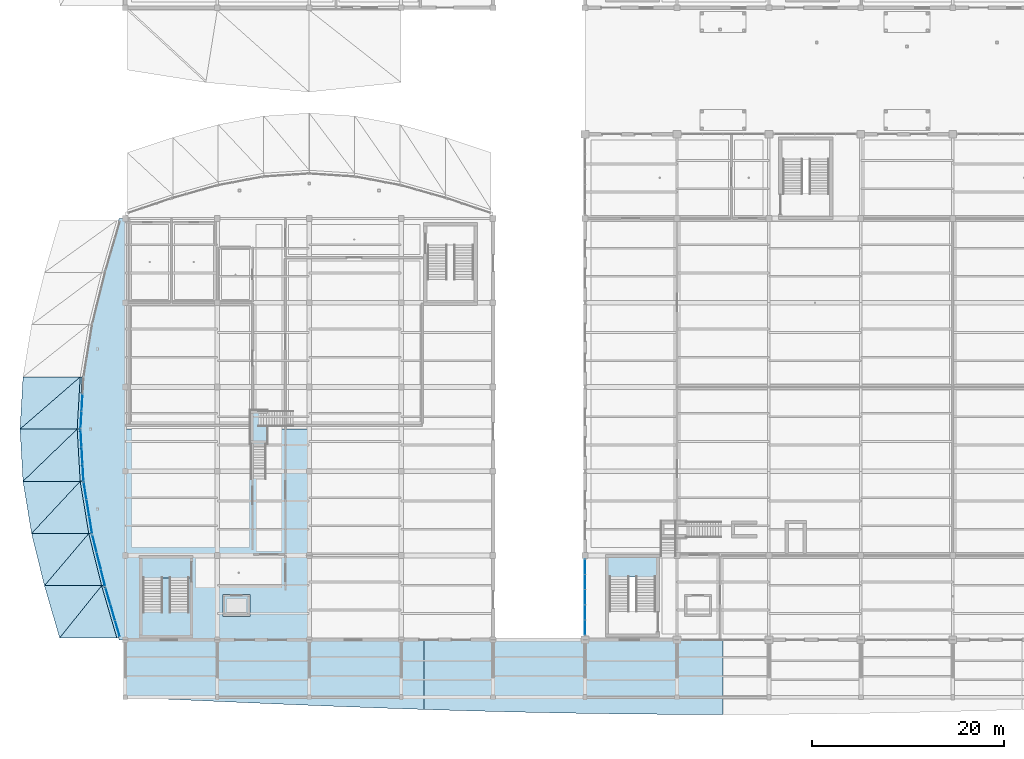
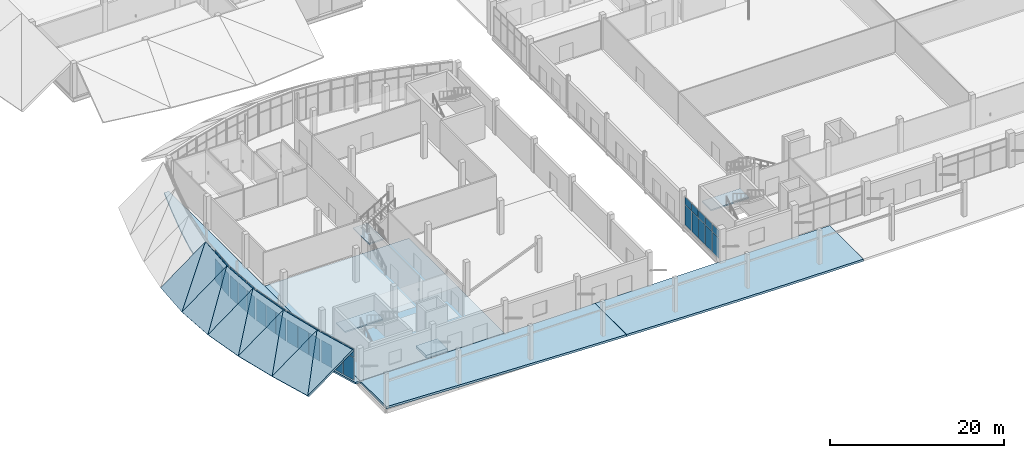
# One storey, part 64 of 116: 38 plates, 18 slabs, 9 elements without a shape of their own.
"""IFC4 building model written with IfcOpenShell, lengths in metres."""

from ifc_helpers import new_model, si_unit, direction, frame, origin, origin_2d, place, context, subcontext, project, spatial, polyline, rectangle, outline, extrude, material, layer, layer_set, type_object, element, aggregate, save


model = new_model("IFC4")

# Units and contexts
model_context = context("Model", 3, precision=1e-05, world=origin(), true_north=direction((0.0, 1.0)))
body_context = subcontext(model_context, "Body", "Model", "MODEL_VIEW")
ifc_project = project(units=[si_unit("LENGTHUNIT", "METRE"), si_unit("AREAUNIT", "SQUARE_METRE"), si_unit("VOLUMEUNIT", "CUBIC_METRE"), si_unit("PLANEANGLEUNIT", "RADIAN"), si_unit("MASSUNIT", "GRAM", prefix="KILO")], contexts=[model_context])

# Site, building, storey
site_placement = place(None, origin())
site = spatial("IfcSite", under=ifc_project, at=site_placement, CompositionType="ELEMENT")
building_placement = place(site_placement, origin())
building = spatial("IfcBuilding", under=site, at=building_placement, Name="Chalmorin Arch Market", CompositionType="ELEMENT")
storey_placement = place(building_placement, origin())
storey = spatial("IfcBuildingStorey", under=building, at=storey_placement, Name="L00", CompositionType="ELEMENT", Elevation=0.0)

# Slabs
ifc_material_1 = material(Name="Concrete C40/50", Category="concrete")
ifc_layer_1 = layer(ifc_material_1, 0.340087890625)
ifc_layer_set_1 = layer_set([ifc_layer_1], Name="Concrete C40/50")
slab_type_1 = type_object("IfcSlabType", Name="GreenMoundDeckSlab-340", PredefinedType="FLOOR", material=ifc_layer_set_1)
slab_1_placement = place(storey_placement, frame((-2.47900390625, 11.64990234375, 4.580078125), z_axis=(-0.584624476485, -0.170440177976, 0.793198819481), x_axis=(-0.804977225698, 0.0, -0.593305710496)))
element("IfcSlab", 1, at=slab_1_placement, inside=storey, type_object=slab_type_1, Name="ETS-340-680", PredefinedType="FLOOR", context=body_context, shape_type="SweptSolid", body=[
    extrude(outline(polyline([(0.0, 0.0), (7.416322490299924, -2.220446049250313e-16), (6.13732058970323, 5.530878850020663), (0.0, 0.0)])), origin(), (0.0, 0.0, -1.0), 0.340087890625),
])
slab_2_placement = place(storey_placement, frame((-0.889892578125, 6.199951171875, 4.580078125), z_axis=(-0.584606825063, -0.17046122046, 0.793207307335), x_axis=(-0.279925684891, 0.960021672119, 0.0)))
element("IfcSlab", 2, at=slab_2_placement, inside=storey, type_object=slab_type_1, Name="ETS-340-681", PredefinedType="FLOOR", context=body_context, shape_type="SweptSolid", body=[
    extrude(outline(polyline([(0.0, 0.0), (5.676904313884187, 0.0), (1.6712164790834456, 7.225772612290706), (0.0, 0.0)])), origin(), (0.0, 0.0, -1.0), 0.340087890625),
])
slab_3_placement = place(storey_placement, frame((-3.821044921875, 17.10009765625, 4.580078125), z_axis=(-0.587073700683, -0.1445594039, 0.796521844465), x_axis=(-0.804977225698, 0.0, -0.593305710496)))
element("IfcSlab", 3, at=slab_3_placement, inside=storey, type_object=slab_type_1, Name="ETS-340-682", PredefinedType="FLOOR", context=body_context, shape_type="SweptSolid", body=[
    extrude(outline(polyline([(0.0, 0.0), (7.416322490299925, 0.0), (6.336010036768881, 5.508051201174739), (0.0, 0.0)])), origin(), (0.0, 0.0, -1.0), 0.340087890625),
])
slab_4_placement = place(storey_placement, frame((-2.47900390625, 11.64990234375, 4.580078125), z_axis=(-0.587073700683, -0.1445594039, 0.796521844465), x_axis=(-0.239095389388, 0.970996083809, 0.0)))
element("IfcSlab", 4, at=slab_4_placement, inside=storey, type_object=slab_type_1, Name="ETS-340-683", PredefinedType="FLOOR", context=body_context, shape_type="SweptSolid", body=[
    extrude(outline(polyline([(0.0, 0.0), (5.612994123639963, 2.220446049250313e-16), (1.4273924698994187, 7.277663774660308), (0.0, 0.0)])), origin(), (0.0, 0.0, -1.0), 0.340087890625),
])
slab_5_placement = place(storey_placement, frame((-4.716064453125, 22.550048828125, 4.580078125), z_axis=(-0.590509264343, -0.096976524799, 0.801183101646), x_axis=(-0.804977225698, 0.0, -0.593305710496)))
element("IfcSlab", 5, at=slab_5_placement, inside=storey, type_object=slab_type_1, Name="ETS-340-684", PredefinedType="FLOOR", context=body_context, shape_type="SweptSolid", body=[
    extrude(outline(polyline([(0.0, 0.0), (7.416322490299924, 0.0), (6.695852151088571, 5.475760241962511), (0.0, 0.0)])), origin(), (0.0, 0.0, -1.0), 0.340087890625),
])
slab_6_placement = place(storey_placement, frame((-3.821044921875, 17.10009765625, 4.580078125), z_axis=(-0.590509264343, -0.096976524799, 0.801183101646), x_axis=(-0.162054478589, 0.986781812748, 0.0)))
element("IfcSlab", 6, at=slab_6_placement, inside=storey, type_object=slab_type_1, Name="ETS-340-685", PredefinedType="FLOOR", context=body_context, shape_type="SweptSolid", body=[
    extrude(outline(polyline([(0.0, 0.0), (5.522954620231879, 0.0), (0.9674604894839489, 7.352949032967382), (0.0, 0.0)])), origin(), (0.0, 0.0, -1.0), 0.340087890625),
])
slab_7_placement = place(storey_placement, frame((-5.030029296875, 28.0, 4.580078125), z_axis=(-0.592959450683, -0.034159649401, 0.804507432034), x_axis=(-0.804977225698, 0.0, -0.593305710496)))
element("IfcSlab", 7, at=slab_7_placement, inside=storey, type_object=slab_type_1, Name="ETS-340-686", PredefinedType="FLOOR", context=body_context, shape_type="SweptSolid", body=[
    extrude(outline(polyline([(0.0, 0.0), (7.416322490299924, 0.0), (7.163587941411272, 5.453133681355216), (0.0, 0.0)])), origin(), (0.0, 0.0, -1.0), 0.340087890625),
])
slab_8_placement = place(storey_placement, frame((-4.716064453125, 22.550048828125, 4.580078125), z_axis=(-0.592959450683, -0.034159649401, 0.804507432034), x_axis=(-0.057513386619, 0.998344735229, 0.0)))
element("IfcSlab", 8, at=slab_8_placement, inside=storey, type_object=slab_type_1, Name="ETS-340-687", PredefinedType="FLOOR", context=body_context, shape_type="SweptSolid", body=[
    extrude(outline(polyline([(0.0, 0.0), (5.458987241140306, 0.0), (0.3433532331552382, 7.408370120168829), (0.0, 0.0)])), origin(), (0.0, 0.0, -1.0), 0.340087890625),
])
slab_9_placement = place(storey_placement, frame((-4.716064453125, 33.449951171875, 4.580078125), z_axis=(-0.592959450683, 0.034159649401, 0.804507432034), x_axis=(-0.804977225698, 0.0, -0.593305710496)))
element("IfcSlab", 9, at=slab_9_placement, inside=storey, type_object=slab_type_1, Name="ETS-340-688", PredefinedType="FLOOR", context=body_context, shape_type="SweptSolid", body=[
    extrude(outline(polyline([(0.0, 0.0), (7.416322490299924, 0.0), (7.669057039188576, 5.453133681355216), (0.0, 0.0)])), origin(), (0.0, 0.0, -1.0), 0.340087890625),
])
slab_10_placement = place(storey_placement, frame((-5.030029296875, 28.0, 4.580078125), z_axis=(-0.592959450683, 0.034159649401, 0.804507432034), x_axis=(0.057513386619, 0.998344735229, 0.0)))
element("IfcSlab", 10, at=slab_10_placement, inside=storey, type_object=slab_type_1, Name="ETS-340-689", PredefinedType="FLOOR", context=body_context, shape_type="SweptSolid", body=[
    extrude(outline(polyline([(0.0, 0.0), (5.458987241140306, 0.0), (-0.3433532331552382, 7.408370120168829), (0.0, 0.0)])), origin(), (0.0, 0.0, -1.0), 0.340087890625),
])
ifc_layer_2 = layer(ifc_material_1, 0.60009765625)
ifc_layer_set_2 = layer_set([ifc_layer_2], Name="Concrete C40/50")
slab_type_2 = type_object("IfcSlabType", Name="MatFoundationSlab-600", PredefinedType="BASESLAB", material=ifc_layer_set_2)
slab_11_placement = place(storey_placement, frame((0.0, 0.0, -1.89990234375)))
element("IfcSlab", 11, at=slab_11_placement, inside=storey, type_object=slab_type_2, Name="PIT-LF-P1", PredefinedType="BASESLAB", context=body_context, shape_type="SweptSolid", body=[
    extrude(outline(polyline([(10.179931640625, 8.455078125), (13.02001953125, 8.455078125), (13.02001953125, 10.7451171875), (10.179931640625, 10.7451171875), (10.179931640625, 8.455078125)])), origin(), (0.0, 0.0, 1.0), 0.39990234375),
])
ifc_layer_3 = layer(ifc_material_1, 0.25)
ifc_layer_set_3 = layer_set([ifc_layer_3], Name="Concrete C40/50")
slab_type_3 = type_object("IfcSlabType", Name="MezzanineDeckSlab-250", PredefinedType="FLOOR", material=ifc_layer_set_3)
slab_12_placement = place(storey_placement, frame((0.0, 0.0, -0.25)))
element("IfcSlab", 12, at=slab_12_placement, inside=storey, type_object=slab_type_3, Name="FS-250-126", PredefinedType="FLOOR", context=body_context, shape_type="SweptSolid", body=[
    extrude(outline(polyline([(-0.02001953125, 6.0), (-0.64990234375, 6.0), (-1.737060546875, 9.6669921875), (-2.75, 13.3330078125), (-3.6201171875, 17.0), (-4.287109375, 20.6669921875), (-4.70703125, 24.3330078125), (-4.85009765625, 28.0), (-4.70703125, 31.6669921875), (-4.287109375, 35.3330078125), (-3.6201171875, 39.0), (-2.75, 42.6669921875), (-1.737060546875, 46.3330078125), (-0.64990234375, 50.0), (-0.02001953125, 50.0), (-0.02001953125, 6.0)])), origin(), (0.0, 0.0, 1.0), 0.25),
])
ifc_layer_4 = layer(ifc_material_1, 0.300048828125)
ifc_layer_set_4 = layer_set([ifc_layer_4], Name="Concrete C40/50")
slab_type_4 = type_object("IfcSlabType", Name="OutdoorPlazaBaseSlab-300", PredefinedType="BASESLAB", material=ifc_layer_set_4)
slab_13_placement = place(storey_placement, frame((0.0, 0.0, -0.300048828125)))
element("IfcSlab", 13, at=slab_13_placement, inside=storey, type_object=slab_type_4, Name="EBS-300-052", PredefinedType="BASESLAB", context=body_context, shape_type="SweptSolid", body=[
    extrude(outline(polyline([(0.010009765625, 0.0), (3.906982421875, -0.177001953125), (7.804931640625, -0.35107421875), (11.701904296875, -0.52294921875), (15.60009765625, -0.68896484375), (19.498046875, -0.847900390625), (23.39501953125, -1.0), (27.29296875, -1.14208984375), (31.18994140625, -1.27197265625), (31.18994140625, 5.97998046875), (0.010009765625, 5.97998046875), (0.010009765625, 0.0)])), origin(), (0.0, 0.0, 1.0), 0.300048828125),
])
slab_14_placement = place(storey_placement, frame((0.0, 0.0, -0.300048828125)))
element("IfcSlab", 14, at=slab_14_placement, inside=storey, type_object=slab_type_4, Name="EBS-300-053", PredefinedType="BASESLAB", context=body_context, shape_type="SweptSolid", body=[
    extrude(outline(polyline([(31.2099609375, -1.27294921875), (35.10791015625, -1.39208984375), (39.0048828125, -1.4970703125), (42.903076171875, -1.587890625), (46.800048828125, -1.6630859375), (50.697998046875, -1.721923828125), (54.594970703125, -1.764892578125), (58.491943359375, -1.791015625), (62.389892578125, -1.800048828125), (62.389892578125, 5.97998046875), (31.2099609375, 5.97998046875), (31.2099609375, -1.27294921875)])), origin(), (0.0, 0.0, 1.0), 0.300048828125),
])
ifc_layer_5 = layer(ifc_material_1, 0.35009765625)
ifc_layer_set_5 = layer_set([ifc_layer_5], Name="Concrete C40/50")
slab_type_5 = type_object("IfcSlabType", Name="PlinthGroundSlab-350", PredefinedType="BASESLAB", material=ifc_layer_set_5)
slab_15_placement = place(storey_placement, frame((0.0, 0.0, -0.35009765625)))
element("IfcSlab", 15, at=slab_15_placement, inside=storey, type_object=slab_type_5, Name="BS-350-033", PredefinedType="BASESLAB", context=body_context, shape_type="SweptSolid", body=[
    extrude(outline(polyline([(0.010009765625, 6.010009765625), (19.18994140625, 6.010009765625), (19.18994140625, 27.989990234375), (0.010009765625, 27.989990234375), (0.010009765625, 6.010009765625)])), origin(), (0.0, 0.0, 1.0), 0.35009765625),
])

# Curtain wall, plates
ifc_material_2 = material(Name="Aluminium 6063-T6", Category="aluminium")
ifc_layer_6 = layer(ifc_material_2, 0.159912109375)
ifc_layer_set_6 = layer_set([ifc_layer_6], Name="Aluminium 6063-T6")
curtain_wall_type_1 = type_object("IfcCurtainWallType", Name="GableTympanumCurtainWall-CW4-7880x4080", PredefinedType="NOTDEFINED", material=ifc_layer_set_6)
curtain_wall_1_placement = place(storey_placement, origin())
curtain_wall_1 = element("IfcCurtainWall", 16, at=curtain_wall_1_placement, inside=storey, type_object=curtain_wall_type_1, Name="CW-04-025", PredefinedType="NOTDEFINED")
ifc_material_3 = material(Name="Powder-coated Aluminium Panel", Category="aluminium")
ifc_layer_7 = layer(ifc_material_3, 0.0400390625)
ifc_layer_set_7 = layer_set([ifc_layer_7], Name="Powder-coated Aluminium Panel")
plate_type_1 = type_object("IfcPlateType", Name="ShadowboxSpandrelPanel-40", PredefinedType="CURTAIN_PANEL", material=ifc_layer_set_7)
plate_1_placement = place(storey_placement, frame((48.0, 7.298095703125, 2.979736328125), z_axis=(0.0, 0.0, 1.0), x_axis=(0.0, 1.0, 0.0)))
plate_1 = element("IfcPlate", 17, at=plate_1_placement, type_object=plate_type_1, Name="SP-40-025-01B", PredefinedType="CURTAIN_PANEL", context=body_context, shape_type="SweptSolid", body=[
    extrude(rectangle(XDim=1.49609375, YDim=0.0400390625, at=origin_2d()), origin(), (0.0, 0.0, 1.0), 1.0263671875),
])
plate_2_placement = place(storey_placement, frame((48.0, 8.8740234375, 2.979736328125), z_axis=(0.0, 0.0, 1.0), x_axis=(0.0, 1.0, 0.0)))
plate_2 = element("IfcPlate", 18, at=plate_2_placement, type_object=plate_type_1, Name="SP-40-025-02B", PredefinedType="CURTAIN_PANEL", context=body_context, shape_type="SweptSolid", body=[
    extrude(rectangle(XDim=1.49609375, YDim=0.0400390625, at=origin_2d()), origin(), (0.0, 0.0, 1.0), 1.0263671875),
])
plate_3_placement = place(storey_placement, frame((48.0, 10.449951171875, 2.979736328125), z_axis=(0.0, 0.0, 1.0), x_axis=(0.0, 1.0, 0.0)))
plate_3 = element("IfcPlate", 19, at=plate_3_placement, type_object=plate_type_1, Name="SP-40-025-03B", PredefinedType="CURTAIN_PANEL", context=body_context, shape_type="SweptSolid", body=[
    extrude(rectangle(XDim=1.49609375, YDim=0.0400390625, at=origin_2d()), origin(), (0.0, 0.0, 1.0), 1.0263671875),
])
plate_4_placement = place(storey_placement, frame((48.0, 12.02587890625, 2.979736328125), z_axis=(0.0, 0.0, 1.0), x_axis=(0.0, 1.0, 0.0)))
plate_4 = element("IfcPlate", 20, at=plate_4_placement, type_object=plate_type_1, Name="SP-40-025-04B", PredefinedType="CURTAIN_PANEL", context=body_context, shape_type="SweptSolid", body=[
    extrude(rectangle(XDim=1.49609375, YDim=0.0400390625, at=origin_2d()), origin(), (0.0, 0.0, 1.0), 1.0263671875),
])
plate_5_placement = place(storey_placement, frame((48.0, 13.60205078125, 2.979736328125), z_axis=(0.0, 0.0, 1.0), x_axis=(0.0, 1.0, 0.0)))
plate_5 = element("IfcPlate", 21, at=plate_5_placement, type_object=plate_type_1, Name="SP-40-025-05B", PredefinedType="CURTAIN_PANEL", context=body_context, shape_type="SweptSolid", body=[
    extrude(rectangle(XDim=1.49609375, YDim=0.0400390625, at=origin_2d()), origin(), (0.0, 0.0, 1.0), 1.0263671875),
])

ifc_layer_8 = layer(ifc_material_2, 0.159912109375)
ifc_layer_set_8 = layer_set([ifc_layer_8], Name="Aluminium 6063-T6")
curtain_wall_type_2 = type_object("IfcCurtainWallType", Name="RiverfrontStorefrontCurtainWall-CW2-5290x4520", PredefinedType="NOTDEFINED", material=ifc_layer_set_8)
curtain_wall_2_placement = place(storey_placement, origin())
curtain_wall_2 = element("IfcCurtainWall", 22, at=curtain_wall_2_placement, inside=storey, type_object=curtain_wall_type_2, Name="CW-02-045", PredefinedType="NOTDEFINED")
plate_6_placement = place(storey_placement, frame((-0.824951171875, 7.18017578125, 3.29931640625), z_axis=(0.0, 0.0, 1.0), x_axis=(-0.275637355817, 0.961261695938, 0.0)))
plate_6 = element("IfcPlate", 23, at=plate_6_placement, type_object=plate_type_1, Name="SP-40-045-01B", PredefinedType="CURTAIN_PANEL", context=body_context, shape_type="SweptSolid", body=[
    extrude(rectangle(XDim=1.68408203125, YDim=0.0400390625, at=origin_2d()), origin(), (0.0, 0.0, 1.0), 1.150634765625),
])
plate_7_placement = place(storey_placement, frame((-1.319580078125, 8.87353515625, 3.29931640625), z_axis=(0.0, 0.0, 1.0), x_axis=(-0.275637355817, 0.961261695938, 0.0)))
plate_7 = element("IfcPlate", 24, at=plate_7_placement, type_object=plate_type_1, Name="SP-40-045-02B", PredefinedType="CURTAIN_PANEL", context=body_context, shape_type="SweptSolid", body=[
    extrude(rectangle(XDim=1.68408203125, YDim=0.0400390625, at=origin_2d()), origin(), (0.0, 0.0, 1.0), 1.150634765625),
])
plate_8_placement = place(storey_placement, frame((-1.814453125, 10.56689453125, 3.29931640625), z_axis=(0.0, 0.0, 1.0), x_axis=(-0.275637355817, 0.961261695938, 0.0)))
plate_8 = element("IfcPlate", 25, at=plate_8_placement, type_object=plate_type_1, Name="SP-40-045-03B", PredefinedType="CURTAIN_PANEL", context=body_context, shape_type="SweptSolid", body=[
    extrude(rectangle(XDim=1.68408203125, YDim=0.0400390625, at=origin_2d()), origin(), (0.0, 0.0, 1.0), 1.150634765625),
])

ifc_layer_9 = layer(ifc_material_2, 0.159912109375)
ifc_layer_set_9 = layer_set([ifc_layer_9], Name="Aluminium 6063-T6")
curtain_wall_type_3 = type_object("IfcCurtainWallType", Name="RiverfrontStorefrontCurtainWall-CW2-5490x4520", PredefinedType="NOTDEFINED", material=ifc_layer_set_9)
curtain_wall_3_placement = place(storey_placement, origin())
curtain_wall_3 = element("IfcCurtainWall", 26, at=curtain_wall_3_placement, inside=storey, type_object=curtain_wall_type_3, Name="CW-02-048", PredefinedType="NOTDEFINED")
plate_9_placement = place(storey_placement, frame((-2.32861328125, 12.474853515625, 3.29931640625), z_axis=(0.0, 0.0, 1.0), x_axis=(-0.2419218956, 0.970295726276, 0.0)))
plate_9 = element("IfcPlate", 27, at=plate_9_placement, type_object=plate_type_1, Name="SP-40-048-01B", PredefinedType="CURTAIN_PANEL", context=body_context, shape_type="SweptSolid", body=[
    extrude(rectangle(XDim=1.748779296875, YDim=0.0400390625, at=origin_2d()), origin(), (0.0, 0.0, 1.0), 1.150634765625),
])
plate_10_placement = place(storey_placement, frame((-2.7685546875, 14.25, 3.29931640625), z_axis=(0.0, 0.0, 1.0), x_axis=(-0.2419218956, 0.970295726276, 0.0)))
plate_10 = element("IfcPlate", 28, at=plate_10_placement, type_object=plate_type_1, Name="SP-40-048-02B", PredefinedType="CURTAIN_PANEL", context=body_context, shape_type="SweptSolid", body=[
    extrude(rectangle(XDim=1.748779296875, YDim=0.0400390625, at=origin_2d()), origin(), (0.0, 0.0, 1.0), 1.150634765625),
])
plate_11_placement = place(storey_placement, frame((-3.20849609375, 16.025146484375, 3.29931640625), z_axis=(0.0, 0.0, 1.0), x_axis=(-0.2419218956, 0.970295726276, 0.0)))
plate_11 = element("IfcPlate", 29, at=plate_11_placement, type_object=plate_type_1, Name="SP-40-048-03B", PredefinedType="CURTAIN_PANEL", context=body_context, shape_type="SweptSolid", body=[
    extrude(rectangle(XDim=1.748779296875, YDim=0.0400390625, at=origin_2d()), origin(), (0.0, 0.0, 1.0), 1.150634765625),
])

ifc_layer_10 = layer(ifc_material_2, 0.159912109375)
ifc_layer_set_10 = layer_set([ifc_layer_10], Name="Aluminium 6063-T6")
curtain_wall_type_4 = type_object("IfcCurtainWallType", Name="RiverfrontStorefrontCurtainWall-CW2-5390x4520", PredefinedType="NOTDEFINED", material=ifc_layer_set_10)
curtain_wall_4_placement = place(storey_placement, origin())
curtain_wall_4 = element("IfcCurtainWall", 30, at=curtain_wall_4_placement, inside=storey, type_object=curtain_wall_type_4, Name="CW-02-051", PredefinedType="NOTDEFINED")
plate_12_placement = place(storey_placement, frame((-3.611572265625, 17.975830078125, 3.29931640625), z_axis=(0.0, 0.0, 1.0), x_axis=(-0.15643446504, 0.987688340595, 0.0)))
plate_12 = element("IfcPlate", 31, at=plate_12_placement, type_object=plate_type_1, Name="SP-40-051-01B", PredefinedType="CURTAIN_PANEL", context=body_context, shape_type="SweptSolid", body=[
    extrude(rectangle(XDim=1.71826171875, YDim=0.0400390625, at=origin_2d()), origin(), (0.0, 0.0, 1.0), 1.150634765625),
])
plate_13_placement = place(storey_placement, frame((-3.905029296875, 19.75, 3.29931640625), z_axis=(0.0, 0.0, 1.0), x_axis=(-0.15643446504, 0.987688340595, 0.0)))
plate_13 = element("IfcPlate", 32, at=plate_13_placement, type_object=plate_type_1, Name="SP-40-051-02B", PredefinedType="CURTAIN_PANEL", context=body_context, shape_type="SweptSolid", body=[
    extrude(rectangle(XDim=1.71826171875, YDim=0.0400390625, at=origin_2d()), origin(), (0.0, 0.0, 1.0), 1.150634765625),
])
plate_14_placement = place(storey_placement, frame((-4.198486328125, 21.524169921875, 3.29931640625), z_axis=(0.0, 0.0, 1.0), x_axis=(-0.15643446504, 0.987688340595, 0.0)))
plate_14 = element("IfcPlate", 33, at=plate_14_placement, type_object=plate_type_1, Name="SP-40-051-03B", PredefinedType="CURTAIN_PANEL", context=body_context, shape_type="SweptSolid", body=[
    extrude(rectangle(XDim=1.71826171875, YDim=0.0400390625, at=origin_2d()), origin(), (0.0, 0.0, 1.0), 1.150634765625),
])

ifc_layer_11 = layer(ifc_material_2, 0.159912109375)
ifc_layer_set_11 = layer_set([ifc_layer_11], Name="Aluminium 6063-T6")
curtain_wall_type_5 = type_object("IfcCurtainWallType", Name="RiverfrontStorefrontCurtainWall-CW2-5330x4520", PredefinedType="NOTDEFINED", material=ifc_layer_set_11)
curtain_wall_5_placement = place(storey_placement, origin())
curtain_wall_5 = element("IfcCurtainWall", 34, at=curtain_wall_5_placement, inside=storey, type_object=curtain_wall_type_5, Name="CW-02-054", PredefinedType="NOTDEFINED")
plate_15_placement = place(storey_placement, frame((-4.416748046875, 23.4765625, 3.29931640625), z_axis=(0.0, 0.0, 1.0), x_axis=(-0.052335956243, 0.998629534755, 0.0)))
plate_15 = element("IfcPlate", 35, at=plate_15_placement, type_object=plate_type_1, Name="SP-40-054-01B", PredefinedType="CURTAIN_PANEL", context=body_context, shape_type="SweptSolid", body=[
    extrude(rectangle(XDim=1.696533203125, YDim=0.0400390625, at=origin_2d()), origin(), (0.0, 0.0, 1.0), 1.150634765625),
])
plate_16_placement = place(storey_placement, frame((-4.52001953125, 25.25, 3.29931640625), z_axis=(0.0, 0.0, 1.0), x_axis=(-0.052335956243, 0.998629534755, 0.0)))
plate_16 = element("IfcPlate", 36, at=plate_16_placement, type_object=plate_type_1, Name="SP-40-054-02B", PredefinedType="CURTAIN_PANEL", context=body_context, shape_type="SweptSolid", body=[
    extrude(rectangle(XDim=1.696533203125, YDim=0.0400390625, at=origin_2d()), origin(), (0.0, 0.0, 1.0), 1.150634765625),
])
plate_17_placement = place(storey_placement, frame((-4.623291015625, 27.0234375, 3.29931640625), z_axis=(0.0, 0.0, 1.0), x_axis=(-0.052335956243, 0.998629534755, 0.0)))
plate_17 = element("IfcPlate", 37, at=plate_17_placement, type_object=plate_type_1, Name="SP-40-054-03B", PredefinedType="CURTAIN_PANEL", context=body_context, shape_type="SweptSolid", body=[
    extrude(rectangle(XDim=1.696533203125, YDim=0.0400390625, at=origin_2d()), origin(), (0.0, 0.0, 1.0), 1.150634765625),
])

curtain_wall_6_placement = place(storey_placement, origin())
curtain_wall_6 = element("IfcCurtainWall", 38, at=curtain_wall_6_placement, inside=storey, type_object=curtain_wall_type_5, Name="CW-02-057", PredefinedType="NOTDEFINED")
plate_18_placement = place(storey_placement, frame((-4.623291015625, 28.9765625, 3.29931640625), z_axis=(0.0, 0.0, 1.0), x_axis=(0.052335956243, 0.998629534755, 0.0)))
plate_18 = element("IfcPlate", 39, at=plate_18_placement, type_object=plate_type_1, Name="SP-40-057-01B", PredefinedType="CURTAIN_PANEL", context=body_context, shape_type="SweptSolid", body=[
    extrude(rectangle(XDim=1.696533203125, YDim=0.0400390625, at=origin_2d()), origin(), (0.0, 0.0, 1.0), 1.150634765625),
])
plate_19_placement = place(storey_placement, frame((-4.52001953125, 30.75, 3.29931640625), z_axis=(0.0, 0.0, 1.0), x_axis=(0.052335956243, 0.998629534755, 0.0)))
plate_19 = element("IfcPlate", 40, at=plate_19_placement, type_object=plate_type_1, Name="SP-40-057-02B", PredefinedType="CURTAIN_PANEL", context=body_context, shape_type="SweptSolid", body=[
    extrude(rectangle(XDim=1.696533203125, YDim=0.0400390625, at=origin_2d()), origin(), (0.0, 0.0, 1.0), 1.150634765625),
])

# Stair, slab
stair_type_1 = type_object("IfcStairType", Name="DoglegExitStair-28R-SC1", PredefinedType="HALF_TURN_STAIR", material=ifc_material_1)
stair_1_placement = place(storey_placement, origin())
stair_1 = element("IfcStair", 41, at=stair_1_placement, inside=storey, type_object=stair_type_1, Name="ST-01", PredefinedType="HALF_TURN_STAIR")
ifc_layer_12 = layer(ifc_material_1, 0.18505859375)
ifc_layer_set_12 = layer_set([ifc_layer_12], Name="Concrete C40/50")
slab_type_6 = type_object("IfcSlabType", Name="StairLandingSlab-185", PredefinedType="LANDING", material=ifc_layer_set_12)
slab_16_placement = place(storey_placement, frame((0.0, 0.0, 2.215087890625)))
slab_16 = element("IfcSlab", 42, at=slab_16_placement, type_object=slab_type_6, Name="LS-001", PredefinedType="LANDING", context=body_context, shape_type="SweptSolid", body=[
    extrude(outline(polyline([(1.719970703125, 12.4599609375), (6.780029296875, 12.4599609375), (6.780029296875, 14.530029296875), (1.719970703125, 14.530029296875), (1.719970703125, 12.4599609375)])), origin(), (0.0, 0.0, 1.0), 0.184814453125),
])
aggregate(stair_1, [slab_16])

stair_type_2 = type_object("IfcStairType", Name="DoglegExitStair-28R-SC3", PredefinedType="HALF_TURN_STAIR", material=ifc_material_1)
stair_2_placement = place(storey_placement, origin())
stair_2 = element("IfcStair", 43, at=stair_2_placement, inside=storey, type_object=stair_type_2, Name="ST-06", PredefinedType="HALF_TURN_STAIR")
ifc_layer_13 = layer(ifc_material_1, 0.195068359375)
ifc_layer_set_13 = layer_set([ifc_layer_13], Name="Concrete C40/50")
slab_type_7 = type_object("IfcSlabType", Name="StairLandingSlab-195", PredefinedType="LANDING", material=ifc_layer_set_13)
slab_17_placement = place(storey_placement, frame((0.0, 0.0, 2.205078125)))
slab_17 = element("IfcSlab", 44, at=slab_17_placement, type_object=slab_type_7, Name="LS-006", PredefinedType="LANDING", context=body_context, shape_type="SweptSolid", body=[
    extrude(outline(polyline([(50.419921875, 12.56005859375), (55.47998046875, 12.56005859375), (55.47998046875, 14.6298828125), (50.419921875, 14.6298828125), (50.419921875, 12.56005859375)])), origin(), (0.0, 0.0, 1.0), 0.19482421875),
])
aggregate(stair_2, [slab_17])

ifc_material_4 = material(Name="Steel A992 Grade 50", Category="steel")
stair_type_3 = type_object("IfcStairType", Name="GalleryFeatureStair-Steel", PredefinedType="QUARTER_TURN_STAIR", material=ifc_material_4)
stair_3_placement = place(storey_placement, origin())
stair_3 = element("IfcStair", 45, at=stair_3_placement, inside=storey, type_object=stair_type_3, Name="ST-29", PredefinedType="QUARTER_TURN_STAIR")
slab_18_placement = place(storey_placement, frame((0.0, 0.0, 2.205078125)))
slab_18 = element("IfcSlab", 46, at=slab_18_placement, type_object=slab_type_7, Name="LS-029", PredefinedType="LANDING", context=body_context, shape_type="SweptSolid", body=[
    extrude(outline(polyline([(12.949951171875, 26.39990234375), (14.89990234375, 26.39990234375), (14.89990234375, 30.050048828125), (12.949951171875, 30.050048828125), (12.949951171875, 26.39990234375)])), origin(), (0.0, 0.0, 1.0), 0.19482421875),
])
aggregate(stair_3, [slab_18])

# Plate
ifc_material_5 = material(Name="Low-E Tempered Glass", Category="glass")
ifc_layer_14 = layer(ifc_material_5, 0.028076171875)
ifc_layer_set_14 = layer_set([ifc_layer_14], Name="Low-E Tempered Glass")
plate_type_2 = type_object("IfcPlateType", Name="VisionIGUPanel-28", PredefinedType="CURTAIN_PANEL", material=ifc_layer_set_14)
plate_20_placement = place(storey_placement, frame((48.0, 7.298095703125, 0.06982421875), z_axis=(0.0, 0.0, 1.0), x_axis=(0.0, 1.0, 0.0)))
plate_20 = element("IfcPlate", 47, at=plate_20_placement, type_object=plate_type_2, Name="GL-28-025-01A", PredefinedType="CURTAIN_PANEL", context=body_context, shape_type="SweptSolid", body=[
    extrude(rectangle(XDim=1.49609375, YDim=0.028076171875, at=origin_2d()), origin(), (0.0, 0.0, 1.0), 2.819580078125),
])

plate_21_placement = place(storey_placement, frame((48.0, 8.8740234375, 0.06982421875), z_axis=(0.0, 0.0, 1.0), x_axis=(0.0, 1.0, 0.0)))
plate_21 = element("IfcPlate", 48, at=plate_21_placement, type_object=plate_type_2, Name="GL-28-025-02A", PredefinedType="CURTAIN_PANEL", context=body_context, shape_type="SweptSolid", body=[
    extrude(rectangle(XDim=1.49609375, YDim=0.028076171875, at=origin_2d()), origin(), (0.0, 0.0, 1.0), 2.819580078125),
])

plate_22_placement = place(storey_placement, frame((48.0, 10.449951171875, 0.06982421875), z_axis=(0.0, 0.0, 1.0), x_axis=(0.0, 1.0, 0.0)))
plate_22 = element("IfcPlate", 49, at=plate_22_placement, type_object=plate_type_2, Name="GL-28-025-03A", PredefinedType="CURTAIN_PANEL", context=body_context, shape_type="SweptSolid", body=[
    extrude(rectangle(XDim=1.49609375, YDim=0.028076171875, at=origin_2d()), origin(), (0.0, 0.0, 1.0), 2.819580078125),
])

plate_23_placement = place(storey_placement, frame((48.0, 12.02587890625, 0.06982421875), z_axis=(0.0, 0.0, 1.0), x_axis=(0.0, 1.0, 0.0)))
plate_23 = element("IfcPlate", 50, at=plate_23_placement, type_object=plate_type_2, Name="GL-28-025-04A", PredefinedType="CURTAIN_PANEL", context=body_context, shape_type="SweptSolid", body=[
    extrude(rectangle(XDim=1.49609375, YDim=0.028076171875, at=origin_2d()), origin(), (0.0, 0.0, 1.0), 2.819580078125),
])

plate_24_placement = place(storey_placement, frame((48.0, 13.60205078125, 0.06982421875), z_axis=(0.0, 0.0, 1.0), x_axis=(0.0, 1.0, 0.0)))
plate_24 = element("IfcPlate", 51, at=plate_24_placement, type_object=plate_type_2, Name="GL-28-025-05A", PredefinedType="CURTAIN_PANEL", context=body_context, shape_type="SweptSolid", body=[
    extrude(rectangle(XDim=1.49609375, YDim=0.028076171875, at=origin_2d()), origin(), (0.0, 0.0, 1.0), 2.819580078125),
])

aggregate(curtain_wall_1, [plate_20, plate_1, plate_21, plate_2, plate_22, plate_3, plate_23, plate_4, plate_24, plate_5])

plate_25_placement = place(storey_placement, frame((-0.824951171875, 7.18017578125, 0.06982421875), z_axis=(0.0, 0.0, 1.0), x_axis=(-0.275637355817, 0.961261695938, 0.0)))
plate_25 = element("IfcPlate", 52, at=plate_25_placement, type_object=plate_type_2, Name="GL-28-045-01A", PredefinedType="CURTAIN_PANEL", context=body_context, shape_type="SweptSolid", body=[
    extrude(rectangle(XDim=1.68408203125, YDim=0.028076171875, at=origin_2d()), origin(), (0.0, 0.0, 1.0), 3.139404296875),
])

plate_26_placement = place(storey_placement, frame((-1.319580078125, 8.87353515625, 0.06982421875), z_axis=(0.0, 0.0, 1.0), x_axis=(-0.275637355817, 0.961261695938, 0.0)))
plate_26 = element("IfcPlate", 53, at=plate_26_placement, type_object=plate_type_2, Name="GL-28-045-02A", PredefinedType="CURTAIN_PANEL", context=body_context, shape_type="SweptSolid", body=[
    extrude(rectangle(XDim=1.68408203125, YDim=0.028076171875, at=origin_2d()), origin(), (0.0, 0.0, 1.0), 3.139404296875),
])

plate_27_placement = place(storey_placement, frame((-1.814453125, 10.56689453125, 0.06982421875), z_axis=(0.0, 0.0, 1.0), x_axis=(-0.275637355817, 0.961261695938, 0.0)))
plate_27 = element("IfcPlate", 54, at=plate_27_placement, type_object=plate_type_2, Name="GL-28-045-03A", PredefinedType="CURTAIN_PANEL", context=body_context, shape_type="SweptSolid", body=[
    extrude(rectangle(XDim=1.68408203125, YDim=0.028076171875, at=origin_2d()), origin(), (0.0, 0.0, 1.0), 3.139404296875),
])

aggregate(curtain_wall_2, [plate_25, plate_6, plate_26, plate_7, plate_27, plate_8])

plate_28_placement = place(storey_placement, frame((-2.32861328125, 12.474853515625, 0.06982421875), z_axis=(0.0, 0.0, 1.0), x_axis=(-0.2419218956, 0.970295726276, 0.0)))
plate_28 = element("IfcPlate", 55, at=plate_28_placement, type_object=plate_type_2, Name="GL-28-048-01A", PredefinedType="CURTAIN_PANEL", context=body_context, shape_type="SweptSolid", body=[
    extrude(rectangle(XDim=1.748779296875, YDim=0.028076171875, at=origin_2d()), origin(), (0.0, 0.0, 1.0), 3.139404296875),
])

plate_29_placement = place(storey_placement, frame((-2.7685546875, 14.25, 0.06982421875), z_axis=(0.0, 0.0, 1.0), x_axis=(-0.2419218956, 0.970295726276, 0.0)))
plate_29 = element("IfcPlate", 56, at=plate_29_placement, type_object=plate_type_2, Name="GL-28-048-02A", PredefinedType="CURTAIN_PANEL", context=body_context, shape_type="SweptSolid", body=[
    extrude(rectangle(XDim=1.748779296875, YDim=0.028076171875, at=origin_2d()), origin(), (0.0, 0.0, 1.0), 3.139404296875),
])

plate_30_placement = place(storey_placement, frame((-3.20849609375, 16.025146484375, 0.06982421875), z_axis=(0.0, 0.0, 1.0), x_axis=(-0.2419218956, 0.970295726276, 0.0)))
plate_30 = element("IfcPlate", 57, at=plate_30_placement, type_object=plate_type_2, Name="GL-28-048-03A", PredefinedType="CURTAIN_PANEL", context=body_context, shape_type="SweptSolid", body=[
    extrude(rectangle(XDim=1.748779296875, YDim=0.028076171875, at=origin_2d()), origin(), (0.0, 0.0, 1.0), 3.139404296875),
])

aggregate(curtain_wall_3, [plate_28, plate_9, plate_29, plate_10, plate_30, plate_11])

plate_31_placement = place(storey_placement, frame((-3.611572265625, 17.975830078125, 0.06982421875), z_axis=(0.0, 0.0, 1.0), x_axis=(-0.15643446504, 0.987688340595, 0.0)))
plate_31 = element("IfcPlate", 58, at=plate_31_placement, type_object=plate_type_2, Name="GL-28-051-01A", PredefinedType="CURTAIN_PANEL", context=body_context, shape_type="SweptSolid", body=[
    extrude(rectangle(XDim=1.71826171875, YDim=0.028076171875, at=origin_2d()), origin(), (0.0, 0.0, 1.0), 3.139404296875),
])

plate_32_placement = place(storey_placement, frame((-3.905029296875, 19.75, 0.06982421875), z_axis=(0.0, 0.0, 1.0), x_axis=(-0.15643446504, 0.987688340595, 0.0)))
plate_32 = element("IfcPlate", 59, at=plate_32_placement, type_object=plate_type_2, Name="GL-28-051-02A", PredefinedType="CURTAIN_PANEL", context=body_context, shape_type="SweptSolid", body=[
    extrude(rectangle(XDim=1.71826171875, YDim=0.028076171875, at=origin_2d()), origin(), (0.0, 0.0, 1.0), 3.139404296875),
])

plate_33_placement = place(storey_placement, frame((-4.198486328125, 21.524169921875, 0.06982421875), z_axis=(0.0, 0.0, 1.0), x_axis=(-0.15643446504, 0.987688340595, 0.0)))
plate_33 = element("IfcPlate", 60, at=plate_33_placement, type_object=plate_type_2, Name="GL-28-051-03A", PredefinedType="CURTAIN_PANEL", context=body_context, shape_type="SweptSolid", body=[
    extrude(rectangle(XDim=1.71826171875, YDim=0.028076171875, at=origin_2d()), origin(), (0.0, 0.0, 1.0), 3.139404296875),
])

aggregate(curtain_wall_4, [plate_31, plate_12, plate_32, plate_13, plate_33, plate_14])

plate_34_placement = place(storey_placement, frame((-4.416748046875, 23.4765625, 0.06982421875), z_axis=(0.0, 0.0, 1.0), x_axis=(-0.052335956243, 0.998629534755, 0.0)))
plate_34 = element("IfcPlate", 61, at=plate_34_placement, type_object=plate_type_2, Name="GL-28-054-01A", PredefinedType="CURTAIN_PANEL", context=body_context, shape_type="SweptSolid", body=[
    extrude(rectangle(XDim=1.696533203125, YDim=0.028076171875, at=origin_2d()), origin(), (0.0, 0.0, 1.0), 3.139404296875),
])

plate_35_placement = place(storey_placement, frame((-4.52001953125, 25.25, 0.06982421875), z_axis=(0.0, 0.0, 1.0), x_axis=(-0.052335956243, 0.998629534755, 0.0)))
plate_35 = element("IfcPlate", 62, at=plate_35_placement, type_object=plate_type_2, Name="GL-28-054-02A", PredefinedType="CURTAIN_PANEL", context=body_context, shape_type="SweptSolid", body=[
    extrude(rectangle(XDim=1.696533203125, YDim=0.028076171875, at=origin_2d()), origin(), (0.0, 0.0, 1.0), 3.139404296875),
])

plate_36_placement = place(storey_placement, frame((-4.623291015625, 27.0234375, 0.06982421875), z_axis=(0.0, 0.0, 1.0), x_axis=(-0.052335956243, 0.998629534755, 0.0)))
plate_36 = element("IfcPlate", 63, at=plate_36_placement, type_object=plate_type_2, Name="GL-28-054-03A", PredefinedType="CURTAIN_PANEL", context=body_context, shape_type="SweptSolid", body=[
    extrude(rectangle(XDim=1.696533203125, YDim=0.028076171875, at=origin_2d()), origin(), (0.0, 0.0, 1.0), 3.139404296875),
])

aggregate(curtain_wall_5, [plate_34, plate_15, plate_35, plate_16, plate_36, plate_17])

plate_37_placement = place(storey_placement, frame((-4.623291015625, 28.9765625, 0.06982421875), z_axis=(0.0, 0.0, 1.0), x_axis=(0.052335956243, 0.998629534755, 0.0)))
plate_37 = element("IfcPlate", 64, at=plate_37_placement, type_object=plate_type_2, Name="GL-28-057-01A", PredefinedType="CURTAIN_PANEL", context=body_context, shape_type="SweptSolid", body=[
    extrude(rectangle(XDim=1.696533203125, YDim=0.028076171875, at=origin_2d()), origin(), (0.0, 0.0, 1.0), 3.139404296875),
])

plate_38_placement = place(storey_placement, frame((-4.52001953125, 30.75, 0.06982421875), z_axis=(0.0, 0.0, 1.0), x_axis=(0.052335956243, 0.998629534755, 0.0)))
plate_38 = element("IfcPlate", 65, at=plate_38_placement, type_object=plate_type_2, Name="GL-28-057-02A", PredefinedType="CURTAIN_PANEL", context=body_context, shape_type="SweptSolid", body=[
    extrude(rectangle(XDim=1.696533203125, YDim=0.028076171875, at=origin_2d()), origin(), (0.0, 0.0, 1.0), 3.139404296875),
])

aggregate(curtain_wall_6, [plate_37, plate_18, plate_38, plate_19])

save(model, "model.ifc")
